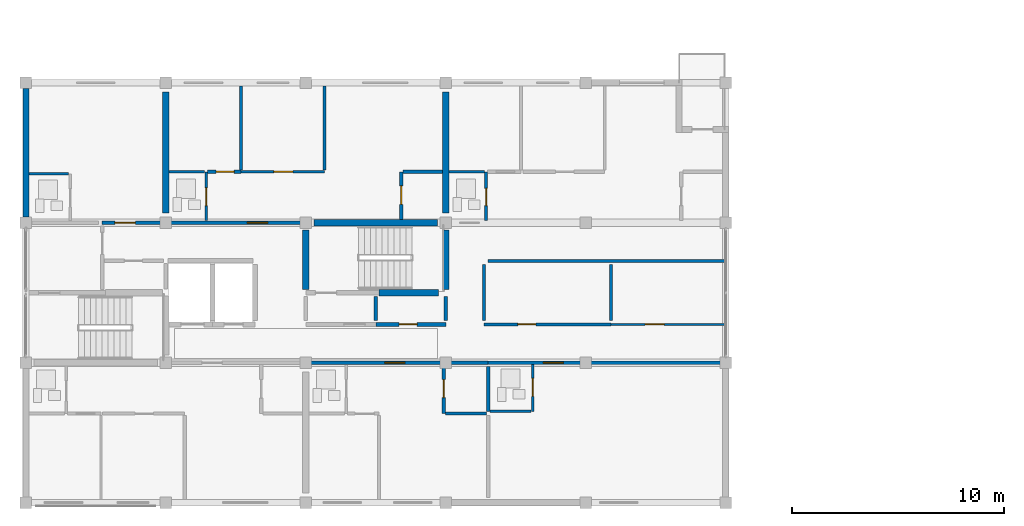
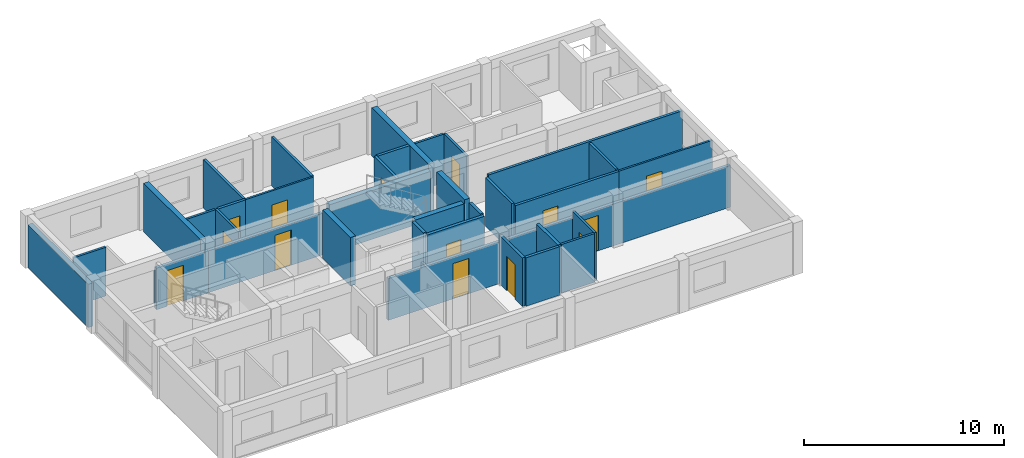
# One storey, part 32 of 46: 35 walls, 14 doors, 14 openings.
"""IFC4 building model written with IfcOpenShell, lengths in metres."""

from ifc_helpers import new_model, si_unit, direction, frame, frame_2d, origin, place, context, subcontext, project, spatial, rectangle, extrude, material, layer, layer_set, type_object, element, fill, save


model = new_model("IFC4")

# Units and contexts
model_context = context("Model", 3, precision=1e-05, world=origin(), true_north=direction((0.0, 1.0)))
body_context = subcontext(model_context, "Body", "Model", "MODEL_VIEW")
ifc_project = project(units=[si_unit("LENGTHUNIT", "METRE"), si_unit("AREAUNIT", "SQUARE_METRE"), si_unit("VOLUMEUNIT", "CUBIC_METRE"), si_unit("PLANEANGLEUNIT", "RADIAN"), si_unit("MASSUNIT", "GRAM", prefix="KILO")], contexts=[model_context])

# Site, building, storey
site_placement = place(None, origin())
site = spatial("IfcSite", under=ifc_project, at=site_placement, CompositionType="ELEMENT")
building_placement = place(site_placement, origin())
building = spatial("IfcBuilding", under=site, at=building_placement, Name="Kernevlak Ridge Housing Community", CompositionType="ELEMENT")
storey_placement = place(building_placement, frame((0.0, 0.0, 27.60009765625)))
storey = spatial("IfcBuildingStorey", under=building, at=storey_placement, Name="L08", CompositionType="ELEMENT", Elevation=27.60009765625)

# Wall
ifc_material_1 = material(Name="Concrete block masonry M10", Category="masonry")
ifc_layer_1 = layer(ifc_material_1, 0.280029296875, Name="Concrete block masonry M10")
ifc_layer_set_1 = layer_set([ifc_layer_1], Name="Concrete block masonry M10")
wall_type_1 = type_object("IfcWallType", Name="EW-03", PredefinedType="STANDARD", material=ifc_layer_set_1)
wall_1_placement = place(storey_placement, frame((15.60009765625, 89.47509765625, 0.0), z_axis=(0.0, 0.0, 1.0), x_axis=(0.0, 1.0, 0.0)))
element("IfcWall", 1, at=wall_1_placement, inside=storey, type_object=wall_type_1, Name="Exterior wall EW-03 L08 138", PredefinedType="STANDARD", context=body_context, shape_type="SweptSolid", body=[
    extrude(rectangle(XDim=6.0498046875, YDim=0.280029296875, at=frame_2d((3.02490234375, 0.0))), origin(), (0.0, 0.0, 1.0), 2.64990234375),
])

# Wall, opening, door
ifc_layer_2 = layer(ifc_material_1, 0.175048828125, Name="Concrete block masonry M10")
ifc_layer_set_2 = layer_set([ifc_layer_2], Name="Concrete block masonry M10")
wall_type_2 = type_object("IfcWallType", Name="PW-02", PredefinedType="PARTITIONING", material=ifc_layer_set_2)
wall_2_placement = place(storey_placement, frame((32.10009765625, 84.39990234375, 0.0), z_axis=(0.0, 0.0, 1.0), x_axis=(1.0, 0.0, 0.0)))
wall_2 = element("IfcWall", 2, at=wall_2_placement, inside=storey, type_object=wall_type_2, Name="Interior wall PW-02 WAL-INT-L08-0516", PredefinedType="PARTITIONING", context=body_context, shape_type="SweptSolid", body=[
    extrude(rectangle(XDim=3.2998046875, YDim=0.175048828125, at=frame_2d((1.64990234375, 0.0))), origin(), (0.0, 0.0, 1.0), 2.969970703125),
])
opening_1_placement = place(wall_2_placement, frame((1.10009765625, 0.0, 0.0)))
opening_1 = element("IfcOpeningElement", 3, at=opening_1_placement, cuts=wall_2, Name="Opening D260", PredefinedType="OPENING", context=body_context, shape_type="SweptSolid", body=[
    extrude(rectangle(XDim=0.85009765625, YDim=2.0, at=frame_2d((0.425048828125, 1.0))), frame((0.0, 0.097412109375, 0.0), z_axis=(0.0, -1.0, 0.0), x_axis=(1.0, 0.0, 0.0)), (0.0, 0.0, 1.0), 0.195068359375),
])
ifc_material_2 = material(Name="Fire-rated sheet steel leaf", Category="steel")
door_type_1 = type_object("IfcDoorType", Name="DT-07", OperationType="NOTDEFINED", PredefinedType="DOOR", material=ifc_material_2)
door_1_placement = place(opening_1_placement, origin())
door_1 = element("IfcDoor", 4, at=door_1_placement, inside=storey, type_object=door_type_1, Name="Block A Cleaner store door D260", OperationType="SINGLE_SWING_RIGHT", OverallHeight=2.0, OverallWidth=0.85009765625, PredefinedType="DOOR", context=body_context, shape_type="SweptSolid", body=[
    extrude(rectangle(XDim=0.85009765625, YDim=2.0, at=frame_2d((0.425048828125, 1.0))), frame((0.0, 0.02490234375, 0.0), z_axis=(0.0, -1.0, 0.0), x_axis=(1.0, 0.0, 0.0)), (0.0, 0.0, 1.0), 0.050048828125),
])
fill(opening_1, door_1)

# Walls
for number, where, z_axis, x_axis, name in (
    (5, (32.10009765625, 84.580078125, 0.0), (0.0, 0.0, 1.0), (0.0, 1.0, 0.0), "Interior wall PW-02 WAL-INT-L08-0518"),
    (6, (35.39990234375, 84.580078125, 0.0), (0.0, 0.0, 1.0), (0.0, 1.0, 0.0), "Interior wall PW-02 WAL-INT-L08-0519"),
):
    element("IfcWall", number, at=place(storey_placement, frame(where, z_axis=z_axis, x_axis=x_axis)), inside=storey, type_object=wall_type_2, Name=name, PredefinedType="PARTITIONING", context=body_context, shape_type="SweptSolid", body=[
        extrude(rectangle(XDim=1.139892578125, YDim=0.175048828125, at=frame_2d((0.56982421875, 0.0))), origin(), (0.0, 0.0, 1.0), 2.969970703125),
    ])

# Wall, opening, door
wall_3_placement = place(storey_placement, frame((28.800048828125, 82.60009765625, 0.0), z_axis=(0.0, 0.0, 1.0), x_axis=(1.0, 0.0, 0.0)))
wall_3 = element("IfcWall", 7, at=wall_3_placement, inside=storey, type_object=wall_type_2, Name="Interior wall PW-02 WAL-INT-L08-0534", PredefinedType="PARTITIONING", context=body_context, shape_type="SweptSolid", body=[
    extrude(rectangle(XDim=8.599853515625, YDim=0.175048828125, at=frame_2d((4.2998046875, 0.0))), origin(), (0.0, 0.0, 1.0), 2.5498046875),
])
opening_2_placement = place(wall_3_placement, frame((3.72509765625, 0.0, 0.0)))
opening_2 = element("IfcOpeningElement", 8, at=opening_2_placement, cuts=wall_3, Name="Opening D268", PredefinedType="OPENING", context=body_context, shape_type="SweptSolid", body=[
    extrude(rectangle(XDim=0.949951171875, YDim=2.159912109375, at=frame_2d((0.47509765625, 1.080078125))), frame((0.0, 0.097412109375, 0.0), z_axis=(0.0, -1.0, 0.0), x_axis=(1.0, 0.0, 0.0)), (0.0, 0.0, 1.0), 0.195068359375),
])
ifc_material_3 = material(Name="Hardwood timber solid-core fire leaf", Category="wood")
door_type_2 = type_object("IfcDoorType", Name="DT-02", OperationType="NOTDEFINED", PredefinedType="DOOR", material=ifc_material_3)
door_2_placement = place(opening_2_placement, origin())
door_2 = element("IfcDoor", 9, at=door_2_placement, inside=storey, type_object=door_type_2, Name="Flat A0812 entrance fire door D268", OperationType="SINGLE_SWING_RIGHT", OverallHeight=2.159912109375, OverallWidth=0.949951171875, PredefinedType="DOOR", context=body_context, shape_type="SweptSolid", body=[
    extrude(rectangle(XDim=0.949951171875, YDim=2.159912109375, at=frame_2d((0.47509765625, 1.080078125))), frame((0.0, 0.02490234375, 0.0), z_axis=(0.0, -1.0, 0.0), x_axis=(1.0, 0.0, 0.0)), (0.0, 0.0, 1.0), 0.050048828125),
])
fill(opening_2, door_2)

# Wall
wall_4_placement = place(storey_placement, frame((37.39990234375, 82.419921875, 0.0), z_axis=(0.0, 0.0, 1.0), x_axis=(0.0, -1.0, 0.0)))
element("IfcWall", 10, at=wall_4_placement, inside=storey, type_object=wall_type_2, Name="Interior wall PW-02 WAL-INT-L08-0541", PredefinedType="PARTITIONING", context=body_context, shape_type="SweptSolid", body=[
    extrude(rectangle(XDim=2.13232421875, YDim=0.175048828125, at=frame_2d((1.066162109375, 0.0))), origin(), (0.0, 0.0, 1.0), 2.969970703125),
])

# Wall, opening, door
wall_5_placement = place(storey_placement, frame((37.39990234375, 82.60009765625, 0.0), z_axis=(0.0, 0.0, 1.0), x_axis=(1.0, 0.0, 0.0)))
wall_5 = element("IfcWall", 11, at=wall_5_placement, inside=storey, type_object=wall_type_2, Name="Interior wall PW-02 WAL-INT-L08-0542", PredefinedType="PARTITIONING", context=body_context, shape_type="SweptSolid", body=[
    extrude(rectangle(XDim=11.2001953125, YDim=0.175048828125, at=frame_2d((5.60009765625, 0.0))), origin(), (0.0, 0.0, 1.0), 2.5498046875),
])
opening_3_placement = place(wall_5_placement, frame((2.60009765625, 0.0, 0.0)))
opening_3 = element("IfcOpeningElement", 12, at=opening_3_placement, cuts=wall_5, Name="Opening D272", PredefinedType="OPENING", context=body_context, shape_type="SweptSolid", body=[
    extrude(rectangle(XDim=0.949951171875, YDim=2.159912109375, at=frame_2d((0.47509765625, 1.080078125))), frame((0.0, 0.097412109375, 0.0), z_axis=(0.0, -1.0, 0.0), x_axis=(1.0, 0.0, 0.0)), (0.0, 0.0, 1.0), 0.195068359375),
])
door_3_placement = place(opening_3_placement, origin())
door_3 = element("IfcDoor", 13, at=door_3_placement, inside=storey, type_object=door_type_2, Name="Flat A0813 entrance fire door D272", OperationType="SINGLE_SWING_RIGHT", OverallHeight=2.159912109375, OverallWidth=0.949951171875, PredefinedType="DOOR", context=body_context, shape_type="SweptSolid", body=[
    extrude(rectangle(XDim=0.949951171875, YDim=2.159912109375, at=frame_2d((0.47509765625, 1.080078125))), frame((0.0, 0.02490234375, 0.0), z_axis=(0.0, -1.0, 0.0), x_axis=(1.0, 0.0, 0.0)), (0.0, 0.0, 1.0), 0.050048828125),
])
fill(opening_3, door_3)

wall_6_placement = place(storey_placement, frame((19.199951171875, 89.199951171875, 0.0), z_axis=(0.0, 0.0, 1.0), x_axis=(1.0, 0.0, 0.0)))
wall_6 = element("IfcWall", 14, at=wall_6_placement, inside=storey, type_object=wall_type_2, Name="Interior wall PW-02 WAL-INT-L08-0546", PredefinedType="PARTITIONING", context=body_context, shape_type="SweptSolid", body=[
    extrude(rectangle(XDim=3.0, YDim=0.175048828125, at=frame_2d((1.5, 0.0))), origin(), (0.0, 0.0, 1.0), 2.5498046875),
])
opening_4_placement = place(wall_6_placement, frame((0.60009765625, 0.0, 0.0)))
opening_4 = element("IfcOpeningElement", 15, at=opening_4_placement, cuts=wall_6, Name="Opening D274", PredefinedType="OPENING", context=body_context, shape_type="SweptSolid", body=[
    extrude(rectangle(XDim=0.9599609375, YDim=2.179931640625, at=frame_2d((0.47998046875, 1.08984375))), frame((0.0, 0.097412109375, 0.0), z_axis=(0.0, -1.0, 0.0), x_axis=(1.0, 0.0, 0.0)), (0.0, 0.0, 1.0), 0.195068359375),
])
door_type_3 = type_object("IfcDoorType", Name="DT-29", OperationType="NOTDEFINED", PredefinedType="DOOR", material=ifc_material_3)
door_4_placement = place(opening_4_placement, origin())
door_4 = element("IfcDoor", 16, at=door_4_placement, inside=storey, type_object=door_type_3, Name="Flat A0821 entrance fire door D274", OperationType="SINGLE_SWING_RIGHT", OverallHeight=2.179931640625, OverallWidth=0.9599609375, PredefinedType="DOOR", context=body_context, shape_type="SweptSolid", body=[
    extrude(rectangle(XDim=0.9599609375, YDim=2.179931640625, at=frame_2d((0.47998046875, 1.08984375))), frame((0.0, 0.02490234375, 0.0), z_axis=(0.0, -1.0, 0.0), x_axis=(1.0, 0.0, 0.0)), (0.0, 0.0, 1.0), 0.050048828125),
])
fill(opening_4, door_4)

wall_7_placement = place(storey_placement, frame((22.199951171875, 89.199951171875, 0.0), z_axis=(0.0, 0.0, 1.0), x_axis=(1.0, 0.0, 0.0)))
wall_7 = element("IfcWall", 17, at=wall_7_placement, inside=storey, type_object=wall_type_2, Name="Interior wall PW-02 WAL-INT-L08-0549", PredefinedType="PARTITIONING", context=body_context, shape_type="SweptSolid", body=[
    extrude(rectangle(XDim=6.60009765625, YDim=0.175048828125, at=frame_2d((3.300048828125, 0.0))), origin(), (0.0, 0.0, 1.0), 2.5498046875),
])
opening_5_placement = place(wall_7_placement, frame((3.85009765625, 0.0, 0.0)))
opening_5 = element("IfcOpeningElement", 18, at=opening_5_placement, cuts=wall_7, Name="Opening D276", PredefinedType="OPENING", context=body_context, shape_type="SweptSolid", body=[
    extrude(rectangle(XDim=0.949951171875, YDim=2.159912109375, at=frame_2d((0.47509765625, 1.080078125))), frame((0.0, 0.097412109375, 0.0), z_axis=(0.0, -1.0, 0.0), x_axis=(1.0, 0.0, 0.0)), (0.0, 0.0, 1.0), 0.195068359375),
])
door_5_placement = place(opening_5_placement, origin())
door_5 = element("IfcDoor", 19, at=door_5_placement, inside=storey, type_object=door_type_2, Name="Flat A0822 entrance fire door D276", OperationType="SINGLE_SWING_RIGHT", OverallHeight=2.159912109375, OverallWidth=0.949951171875, PredefinedType="DOOR", context=body_context, shape_type="SweptSolid", body=[
    extrude(rectangle(XDim=0.949951171875, YDim=2.159912109375, at=frame_2d((0.47509765625, 1.080078125))), frame((0.0, 0.02490234375, 0.0), z_axis=(0.0, -1.0, 0.0), x_axis=(1.0, 0.0, 0.0)), (0.0, 0.0, 1.0), 0.050048828125),
])
fill(opening_5, door_5)

ifc_layer_3 = layer(ifc_material_1, 0.14501953125, Name="Concrete block masonry M10")
ifc_layer_set_3 = layer_set([ifc_layer_3], Name="Concrete block masonry M10")
wall_type_3 = type_object("IfcWallType", Name="PW-03", PredefinedType="PARTITIONING", material=ifc_layer_set_3)
wall_8_placement = place(storey_placement, frame((37.199951171875, 84.39990234375, 0.0), z_axis=(0.0, 0.0, 1.0), x_axis=(1.0, 0.0, 0.0)))
wall_8 = element("IfcWall", 20, at=wall_8_placement, inside=storey, type_object=wall_type_3, Name="Interior wall PW-03 WAL-INT-L08-0520", PredefinedType="PARTITIONING", context=body_context, shape_type="SweptSolid", body=[
    extrude(rectangle(XDim=6.0, YDim=0.14501953125, at=frame_2d((3.0, 0.0))), origin(), (0.0, 0.0, 1.0), 2.969970703125),
])
opening_6_placement = place(wall_8_placement, frame((1.60009765625, 0.0, 0.0)))
opening_6 = element("IfcOpeningElement", 21, at=opening_6_placement, cuts=wall_8, Name="Opening D261", PredefinedType="OPENING", context=body_context, shape_type="SweptSolid", body=[
    extrude(rectangle(XDim=0.85009765625, YDim=2.10009765625, at=frame_2d((0.425048828125, 1.050048828125))), frame((0.0, 0.08251953125, 0.0), z_axis=(0.0, -1.0, 0.0), x_axis=(1.0, 0.0, 0.0)), (0.0, 0.0, 1.0), 0.1650390625),
])
ifc_material_4 = material(Name="Hardwood timber leaf", Category="wood")
door_type_4 = type_object("IfcDoorType", Name="DT-03", OperationType="NOTDEFINED", PredefinedType="DOOR", material=ifc_material_4)
door_6_placement = place(opening_6_placement, origin())
door_6 = element("IfcDoor", 22, at=door_6_placement, inside=storey, type_object=door_type_4, Name="Block A Laundry room door D261", OperationType="SINGLE_SWING_LEFT", OverallHeight=2.10009765625, OverallWidth=0.85009765625, PredefinedType="DOOR", context=body_context, shape_type="SweptSolid", body=[
    extrude(rectangle(XDim=0.85009765625, YDim=2.10009765625, at=frame_2d((0.425048828125, 1.050048828125))), frame((0.0, 0.02490234375, 0.0), z_axis=(0.0, -1.0, 0.0), x_axis=(1.0, 0.0, 0.0)), (0.0, 0.0, 1.0), 0.050048828125),
])
fill(opening_6, door_6)

# Walls
wall_9_placement = place(storey_placement, frame((43.199951171875, 84.580078125, 0.0), z_axis=(0.0, 0.0, 1.0), x_axis=(0.0, 1.0, 0.0)))
element("IfcWall", 23, at=wall_9_placement, inside=storey, type_object=wall_type_3, Name="Interior wall PW-03 WAL-INT-L08-0522", PredefinedType="PARTITIONING", context=body_context, shape_type="SweptSolid", body=[
    extrude(rectangle(XDim=2.639892578125, YDim=0.14501953125, at=frame_2d((1.31982421875, 0.0))), origin(), (0.0, 0.0, 1.0), 2.969970703125),
])
wall_10_placement = place(storey_placement, frame((37.3798828125, 87.39990234375, 0.0), z_axis=(0.0, 0.0, 1.0), x_axis=(1.0, 0.0, 0.0)))
element("IfcWall", 24, at=wall_10_placement, inside=storey, type_object=wall_type_3, Name="Interior wall PW-03 WAL-INT-L08-0523", PredefinedType="PARTITIONING", context=body_context, shape_type="SweptSolid", body=[
    extrude(rectangle(XDim=11.2001953125, YDim=0.14501953125, at=frame_2d((5.60009765625, 0.0))), origin(), (0.0, 0.0, 1.0), 2.969970703125),
])
wall_11_placement = place(storey_placement, frame((37.199951171875, 84.580078125, 0.0), z_axis=(0.0, 0.0, 1.0), x_axis=(0.0, 1.0, 0.0)))
element("IfcWall", 25, at=wall_11_placement, inside=storey, type_object=wall_type_3, Name="Interior wall PW-03 WAL-INT-L08-0524", PredefinedType="PARTITIONING", context=body_context, shape_type="SweptSolid", body=[
    extrude(rectangle(XDim=2.639892578125, YDim=0.14501953125, at=frame_2d((1.31982421875, 0.0))), origin(), (0.0, 0.0, 1.0), 2.969970703125),
])

# Wall, opening, door
wall_12_placement = place(storey_placement, frame((24.172607421875, 91.60009765625, 0.0), z_axis=(0.0, 0.0, 1.0), x_axis=(1.0, 0.0, 0.0)))
wall_12 = element("IfcWall", 26, at=wall_12_placement, inside=storey, type_object=wall_type_3, Name="Interior wall PW-03 WAL-INT-L08-0554", PredefinedType="PARTITIONING", context=body_context, shape_type="SweptSolid", body=[
    extrude(rectangle(XDim=1.577392578125, YDim=0.14501953125, at=frame_2d((0.78857421875, 0.0))), origin(), (0.0, 0.0, 1.0), 2.969970703125),
])
opening_7_placement = place(wall_12_placement, frame((0.39990234375, 0.0, 0.0)))
opening_7 = element("IfcOpeningElement", 27, at=opening_7_placement, cuts=wall_12, Name="Opening D279", PredefinedType="OPENING", context=body_context, shape_type="SweptSolid", body=[
    extrude(rectangle(XDim=0.85009765625, YDim=2.10009765625, at=frame_2d((0.425048828125, 1.050048828125))), frame((0.0, 0.08251953125, 0.0), z_axis=(0.0, -1.0, 0.0), x_axis=(1.0, 0.0, 0.0)), (0.0, 0.0, 1.0), 0.1650390625),
])
door_7_placement = place(opening_7_placement, origin())
door_7 = element("IfcDoor", 28, at=door_7_placement, inside=storey, type_object=door_type_4, Name="Flat A0822 bedroom door D279", OperationType="SINGLE_SWING_LEFT", OverallHeight=2.10009765625, OverallWidth=0.85009765625, PredefinedType="DOOR", context=body_context, shape_type="SweptSolid", body=[
    extrude(rectangle(XDim=0.85009765625, YDim=2.10009765625, at=frame_2d((0.425048828125, 1.050048828125))), frame((0.0, 0.02490234375, 0.0), z_axis=(0.0, -1.0, 0.0), x_axis=(1.0, 0.0, 0.0)), (0.0, 0.0, 1.0), 0.050048828125),
])
fill(opening_7, door_7)

# Walls
wall_13_placement = place(storey_placement, frame((25.75, 91.6826171875, 0.0), z_axis=(0.0, 0.0, 1.0), x_axis=(0.0, 1.0, 0.0)))
element("IfcWall", 29, at=wall_13_placement, inside=storey, type_object=wall_type_3, Name="Interior wall PW-03 WAL-INT-L08-0555", PredefinedType="PARTITIONING", context=body_context, shape_type="SweptSolid", body=[
    extrude(rectangle(XDim=3.96728515625, YDim=0.14501953125, at=frame_2d((1.983642578125, 0.0))), origin(), (0.0, 0.0, 1.0), 2.969970703125),
])
wall_14_placement = place(storey_placement, frame((29.69189453125, 91.679931640625, 0.0), z_axis=(0.0, 0.0, 1.0), x_axis=(0.0, 1.0, 0.0)))
element("IfcWall", 30, at=wall_14_placement, inside=storey, type_object=wall_type_3, Name="Interior wall PW-03 WAL-INT-L08-0557", PredefinedType="PARTITIONING", context=body_context, shape_type="SweptSolid", body=[
    extrude(rectangle(XDim=3.969970703125, YDim=0.14501953125, at=frame_2d((1.98486328125, 0.0))), origin(), (0.0, 0.0, 1.0), 2.969970703125),
])

# Wall, opening, door
ifc_material_5 = material(Name="Gypsum plasterboard EN 520", Category="gypsum")
ifc_layer_4 = layer(ifc_material_5, 0.125, Name="Gypsum plasterboard EN 520")
ifc_layer_set_4 = layer_set([ifc_layer_4], Name="Gypsum plasterboard EN 520")
wall_type_4 = type_object("IfcWallType", Name="PW-04", PredefinedType="PARTITIONING", material=ifc_layer_set_4)
wall_15_placement = place(storey_placement, frame((39.5, 82.50244140625, 0.0), z_axis=(0.0, 0.0, 1.0), x_axis=(0.0, -1.0, 0.0)))
wall_15 = element("IfcWall", 31, at=wall_15_placement, inside=storey, type_object=wall_type_4, Name="Interior wall PW-04 WAL-INT-L08-0543", PredefinedType="PARTITIONING", context=body_context, shape_type="SweptSolid", body=[
    extrude(rectangle(XDim=2.202392578125, YDim=0.125, at=frame_2d((1.10107421875, 0.0))), origin(), (0.0, 0.0, 1.0), 2.969970703125),
])
opening_8_placement = place(wall_15_placement, frame((0.64990234375, 0.0, 0.0)))
opening_8 = element("IfcOpeningElement", 32, at=opening_8_placement, cuts=wall_15, Name="Opening D273", PredefinedType="OPENING", context=body_context, shape_type="SweptSolid", body=[
    extrude(rectangle(XDim=0.840087890625, YDim=2.06005859375, at=frame_2d((0.419921875, 1.030029296875))), frame((0.0, 0.072509765625, 0.0), z_axis=(0.0, -1.0, 0.0), x_axis=(1.0, 0.0, 0.0)), (0.0, 0.0, 1.0), 0.14501953125),
])
ifc_material_6 = material(Name="Hardwood timber moisture-resistant leaf", Category="wood")
door_type_5 = type_object("IfcDoorType", Name="DT-27", OperationType="NOTDEFINED", PredefinedType="DOOR", material=ifc_material_6)
door_8_placement = place(opening_8_placement, origin())
door_8 = element("IfcDoor", 33, at=door_8_placement, inside=storey, type_object=door_type_5, Name="Flat A0813 bathroom door D273", OperationType="SINGLE_SWING_LEFT", OverallHeight=2.06005859375, OverallWidth=0.840087890625, PredefinedType="DOOR", context=body_context, shape_type="SweptSolid", body=[
    extrude(rectangle(XDim=0.840087890625, YDim=2.06005859375, at=frame_2d((0.419921875, 1.030029296875))), frame((0.0, 0.02490234375, 0.0), z_axis=(0.0, -1.0, 0.0), x_axis=(1.0, 0.0, 0.0)), (0.0, 0.0, 1.0), 0.050048828125),
])
fill(opening_8, door_8)

# Walls
wall_16_placement = place(storey_placement, frame((37.49755859375, 80.300048828125, 0.0), z_axis=(0.0, 0.0, 1.0), x_axis=(1.0, 0.0, 0.0)))
element("IfcWall", 34, at=wall_16_placement, inside=storey, type_object=wall_type_4, Name="Interior wall PW-04 WAL-INT-L08-0544", PredefinedType="PARTITIONING", context=body_context, shape_type="SweptSolid", body=[
    extrude(rectangle(XDim=1.92236328125, YDim=0.125, at=frame_2d((0.961181640625, 0.0))), origin(), (0.0, 0.0, 1.0), 2.969970703125),
])
wall_17_placement = place(storey_placement, frame((15.75, 91.5, 0.0), z_axis=(0.0, 0.0, 1.0), x_axis=(1.0, 0.0, 0.0)))
element("IfcWall", 35, at=wall_17_placement, inside=storey, type_object=wall_type_4, Name="Interior wall PW-04 WAL-INT-L08-0548", PredefinedType="PARTITIONING", context=body_context, shape_type="SweptSolid", body=[
    extrude(rectangle(XDim=1.8701171875, YDim=0.125, at=frame_2d((0.93505859375, 0.0))), origin(), (0.0, 0.0, 1.0), 2.969970703125),
])

# Wall, opening, door
wall_18_placement = place(storey_placement, frame((24.10009765625, 89.297607421875, 0.0), z_axis=(0.0, 0.0, 1.0), x_axis=(0.0, 1.0, 0.0)))
wall_18 = element("IfcWall", 36, at=wall_18_placement, inside=storey, type_object=wall_type_4, Name="Interior wall PW-04 WAL-INT-L08-0550", PredefinedType="PARTITIONING", context=body_context, shape_type="SweptSolid", body=[
    extrude(rectangle(XDim=2.302490234375, YDim=0.125, at=frame_2d((1.1513671875, 0.0))), origin(), (0.0, 0.0, 1.0), 2.969970703125),
])
opening_9_placement = place(wall_18_placement, frame((0.699951171875, 0.0, 0.0)))
opening_9 = element("IfcOpeningElement", 37, at=opening_9_placement, cuts=wall_18, Name="Opening D277", PredefinedType="OPENING", context=body_context, shape_type="SweptSolid", body=[
    extrude(rectangle(XDim=0.840087890625, YDim=2.06005859375, at=frame_2d((0.419921875, 1.030029296875))), frame((0.0, 0.072509765625, 0.0), z_axis=(0.0, -1.0, 0.0), x_axis=(1.0, 0.0, 0.0)), (0.0, 0.0, 1.0), 0.14501953125),
])
door_9_placement = place(opening_9_placement, origin())
door_9 = element("IfcDoor", 38, at=door_9_placement, inside=storey, type_object=door_type_5, Name="Flat A0822 bathroom door D277", OperationType="SINGLE_SWING_LEFT", OverallHeight=2.06005859375, OverallWidth=0.840087890625, PredefinedType="DOOR", context=body_context, shape_type="SweptSolid", body=[
    extrude(rectangle(XDim=0.840087890625, YDim=2.06005859375, at=frame_2d((0.419921875, 1.030029296875))), frame((0.0, 0.02490234375, 0.0), z_axis=(0.0, -1.0, 0.0), x_axis=(1.0, 0.0, 0.0)), (0.0, 0.0, 1.0), 0.050048828125),
])
fill(opening_9, door_9)

# Wall
wall_19_placement = place(storey_placement, frame((22.360107421875, 91.60009765625, 0.0), z_axis=(0.0, 0.0, 1.0), x_axis=(1.0, 0.0, 0.0)))
element("IfcWall", 39, at=wall_19_placement, inside=storey, type_object=wall_type_4, Name="Interior wall PW-04 WAL-INT-L08-0551", PredefinedType="PARTITIONING", context=body_context, shape_type="SweptSolid", body=[
    extrude(rectangle(XDim=1.659912109375, YDim=0.125, at=frame_2d((0.830078125, 0.0))), origin(), (0.0, 0.0, 1.0), 2.969970703125),
])

# Wall, opening, door
wall_20_placement = place(storey_placement, frame((37.300048828125, 89.297607421875, 0.0), z_axis=(0.0, 0.0, 1.0), x_axis=(0.0, 1.0, 0.0)))
wall_20 = element("IfcWall", 40, at=wall_20_placement, inside=storey, type_object=wall_type_4, Name="Interior wall PW-04 WAL-INT-L08-0559", PredefinedType="PARTITIONING", context=body_context, shape_type="SweptSolid", body=[
    extrude(rectangle(XDim=2.302490234375, YDim=0.125, at=frame_2d((1.1513671875, 0.0))), origin(), (0.0, 0.0, 1.0), 2.969970703125),
])
opening_10_placement = place(wall_20_placement, frame((0.699951171875, 0.0, 0.0)))
opening_10 = element("IfcOpeningElement", 41, at=opening_10_placement, cuts=wall_20, Name="Opening D282", PredefinedType="OPENING", context=body_context, shape_type="SweptSolid", body=[
    extrude(rectangle(XDim=0.820068359375, YDim=2.050048828125, at=frame_2d((0.41015625, 1.02490234375))), frame((0.0, 0.072509765625, 0.0), z_axis=(0.0, -1.0, 0.0), x_axis=(1.0, 0.0, 0.0)), (0.0, 0.0, 1.0), 0.14501953125),
])
door_type_6 = type_object("IfcDoorType", Name="DT-30", OperationType="NOTDEFINED", PredefinedType="DOOR", material=ifc_material_6)
door_10_placement = place(opening_10_placement, origin())
door_10 = element("IfcDoor", 42, at=door_10_placement, inside=storey, type_object=door_type_6, Name="Flat A0823 bathroom door D282", OperationType="SINGLE_SWING_RIGHT", OverallHeight=2.050048828125, OverallWidth=0.820068359375, PredefinedType="DOOR", context=body_context, shape_type="SweptSolid", body=[
    extrude(rectangle(XDim=0.820068359375, YDim=2.050048828125, at=frame_2d((0.41015625, 1.02490234375))), frame((0.0, 0.02490234375, 0.0), z_axis=(0.0, -1.0, 0.0), x_axis=(1.0, 0.0, 0.0)), (0.0, 0.0, 1.0), 0.050048828125),
])
fill(opening_10, door_10)

# Wall
wall_21_placement = place(storey_placement, frame((35.56005859375, 91.60009765625, 0.0), z_axis=(0.0, 0.0, 1.0), x_axis=(1.0, 0.0, 0.0)))
element("IfcWall", 43, at=wall_21_placement, inside=storey, type_object=wall_type_4, Name="Interior wall PW-04 WAL-INT-L08-0560", PredefinedType="PARTITIONING", context=body_context, shape_type="SweptSolid", body=[
    extrude(rectangle(XDim=1.659912109375, YDim=0.125, at=frame_2d((0.830078125, 0.0))), origin(), (0.0, 0.0, 1.0), 2.969970703125),
])

# Wall, opening, door
ifc_layer_5 = layer(ifc_material_5, 0.155029296875, Name="Gypsum plasterboard EN 520")
ifc_layer_set_5 = layer_set([ifc_layer_5], Name="Gypsum plasterboard EN 520")
wall_type_5 = type_object("IfcWallType", Name="PW-05", PredefinedType="PARTITIONING", material=ifc_layer_set_5)
wall_22_placement = place(storey_placement, frame((35.300048828125, 82.50244140625, 0.0), z_axis=(0.0, 0.0, 1.0), x_axis=(0.0, -1.0, 0.0)))
wall_22 = element("IfcWall", 44, at=wall_22_placement, inside=storey, type_object=wall_type_5, Name="Interior wall PW-05 WAL-INT-L08-0537", PredefinedType="PARTITIONING", context=body_context, shape_type="SweptSolid", body=[
    extrude(rectangle(XDim=2.302490234375, YDim=0.155029296875, at=frame_2d((1.1513671875, 0.0))), origin(), (0.0, 0.0, 1.0), 2.969970703125),
])
opening_11_placement = place(wall_22_placement, frame((0.699951171875, 0.0, 0.0)))
opening_11 = element("IfcOpeningElement", 45, at=opening_11_placement, cuts=wall_22, Name="Opening D270", PredefinedType="OPENING", context=body_context, shape_type="SweptSolid", body=[
    extrude(rectangle(XDim=0.85009765625, YDim=2.10009765625, at=frame_2d((0.425048828125, 1.050048828125))), frame((0.0, 0.08740234375, 0.0), z_axis=(0.0, -1.0, 0.0), x_axis=(1.0, 0.0, 0.0)), (0.0, 0.0, 1.0), 0.175048828125),
])
door_11_placement = place(opening_11_placement, origin())
door_11 = element("IfcDoor", 46, at=door_11_placement, inside=storey, type_object=door_type_4, Name="Flat A0812 kitchen door D270", OperationType="SINGLE_SWING_RIGHT", OverallHeight=2.10009765625, OverallWidth=0.85009765625, PredefinedType="DOOR", context=body_context, shape_type="SweptSolid", body=[
    extrude(rectangle(XDim=0.85009765625, YDim=2.10009765625, at=frame_2d((0.425048828125, 1.050048828125))), frame((0.0, 0.02490234375, 0.0), z_axis=(0.0, -1.0, 0.0), x_axis=(1.0, 0.0, 0.0)), (0.0, 0.0, 1.0), 0.050048828125),
])
fill(opening_11, door_11)

# Wall
wall_23_placement = place(storey_placement, frame((35.387451171875, 80.199951171875, 0.0), z_axis=(0.0, 0.0, 1.0), x_axis=(1.0, 0.0, 0.0)))
element("IfcWall", 47, at=wall_23_placement, inside=storey, type_object=wall_type_5, Name="Interior wall PW-05 WAL-INT-L08-0538", PredefinedType="PARTITIONING", context=body_context, shape_type="SweptSolid", body=[
    extrude(rectangle(XDim=1.9326171875, YDim=0.155029296875, at=frame_2d((0.96630859375, 0.0))), origin(), (0.0, 0.0, 1.0), 2.969970703125),
])

# Wall, opening, door
wall_24_placement = place(storey_placement, frame((33.300048828125, 89.360107421875, 0.0), z_axis=(0.0, 0.0, 1.0), x_axis=(0.0, 1.0, 0.0)))
wall_24 = element("IfcWall", 48, at=wall_24_placement, inside=storey, type_object=wall_type_5, Name="Interior wall PW-05 WAL-INT-L08-0552", PredefinedType="PARTITIONING", context=body_context, shape_type="SweptSolid", body=[
    extrude(rectangle(XDim=2.239990234375, YDim=0.155029296875, at=frame_2d((1.1201171875, 0.0))), origin(), (0.0, 0.0, 1.0), 2.969970703125),
])
opening_12_placement = place(wall_24_placement, frame((0.699951171875, 0.0, 0.0)))
opening_12 = element("IfcOpeningElement", 49, at=opening_12_placement, cuts=wall_24, Name="Opening D278", PredefinedType="OPENING", context=body_context, shape_type="SweptSolid", body=[
    extrude(rectangle(XDim=0.8701171875, YDim=2.080078125, at=frame_2d((0.43505859375, 1.0400390625))), frame((0.0, 0.08740234375, 0.0), z_axis=(0.0, -1.0, 0.0), x_axis=(1.0, 0.0, 0.0)), (0.0, 0.0, 1.0), 0.175048828125),
])
door_type_7 = type_object("IfcDoorType", Name="DT-32", OperationType="NOTDEFINED", PredefinedType="DOOR", material=ifc_material_4)
door_12_placement = place(opening_12_placement, origin())
door_12 = element("IfcDoor", 50, at=door_12_placement, inside=storey, type_object=door_type_7, Name="Flat A0822 kitchen door D278", OperationType="SINGLE_SWING_RIGHT", OverallHeight=2.080078125, OverallWidth=0.8701171875, PredefinedType="DOOR", context=body_context, shape_type="SweptSolid", body=[
    extrude(rectangle(XDim=0.8701171875, YDim=2.080078125, at=frame_2d((0.43505859375, 1.0400390625))), frame((0.0, 0.02490234375, 0.0), z_axis=(0.0, -1.0, 0.0), x_axis=(1.0, 0.0, 0.0)), (0.0, 0.0, 1.0), 0.050048828125),
])
fill(opening_12, door_12)

# Wall
wall_25_placement = place(storey_placement, frame((33.387451171875, 91.60009765625, 0.0), z_axis=(0.0, 0.0, 1.0), x_axis=(1.0, 0.0, 0.0)))
element("IfcWall", 51, at=wall_25_placement, inside=storey, type_object=wall_type_5, Name="Interior wall PW-05 WAL-INT-L08-0553", PredefinedType="PARTITIONING", context=body_context, shape_type="SweptSolid", body=[
    extrude(rectangle(XDim=1.8525390625, YDim=0.155029296875, at=frame_2d((0.92626953125, 0.0))), origin(), (0.0, 0.0, 1.0), 2.969970703125),
])

# Wall, opening, door
ifc_layer_6 = layer(ifc_material_5, 0.10498046875, Name="Gypsum plasterboard EN 520")
ifc_layer_set_6 = layer_set([ifc_layer_6], Name="Gypsum plasterboard EN 520")
wall_type_6 = type_object("IfcWallType", Name="PW-06", PredefinedType="PARTITIONING", material=ifc_layer_set_6)
wall_26_placement = place(storey_placement, frame((43.199951171875, 84.39990234375, 0.0), z_axis=(0.0, 0.0, 1.0), x_axis=(1.0, 0.0, 0.0)))
wall_26 = element("IfcWall", 52, at=wall_26_placement, inside=storey, type_object=wall_type_6, Name="Interior wall PW-06 WAL-INT-L08-0521", PredefinedType="PARTITIONING", context=body_context, shape_type="SweptSolid", body=[
    extrude(rectangle(XDim=5.400146484375, YDim=0.10498046875, at=frame_2d((2.7001953125, 0.0))), origin(), (0.0, 0.0, 1.0), 2.969970703125),
])
opening_13_placement = place(wall_26_placement, frame((1.60009765625, 0.0, 0.0)))
opening_13 = element("IfcOpeningElement", 53, at=opening_13_placement, cuts=wall_26, Name="Opening D262", PredefinedType="OPENING", context=body_context, shape_type="SweptSolid", body=[
    extrude(rectangle(XDim=0.89990234375, YDim=2.10009765625, at=frame_2d((0.449951171875, 1.050048828125))), frame((0.0, 0.0625, 0.0), z_axis=(0.0, -1.0, 0.0), x_axis=(1.0, 0.0, 0.0)), (0.0, 0.0, 1.0), 0.125),
])
door_type_8 = type_object("IfcDoorType", Name="DT-21", OperationType="NOTDEFINED", PredefinedType="DOOR", material=ifc_material_4)
door_13_placement = place(opening_13_placement, origin())
door_13 = element("IfcDoor", 54, at=door_13_placement, inside=storey, type_object=door_type_8, Name="Block A Study room door D262", OperationType="SINGLE_SWING_RIGHT", OverallHeight=2.10009765625, OverallWidth=0.89990234375, PredefinedType="DOOR", context=body_context, shape_type="SweptSolid", body=[
    extrude(rectangle(XDim=0.89990234375, YDim=2.10009765625, at=frame_2d((0.449951171875, 1.050048828125))), frame((0.0, 0.02490234375, 0.0), z_axis=(0.0, -1.0, 0.0), x_axis=(1.0, 0.0, 0.0)), (0.0, 0.0, 1.0), 0.050048828125),
])
fill(opening_13, door_13)

wall_27_placement = place(storey_placement, frame((25.75, 91.60009765625, 0.0), z_axis=(0.0, 0.0, 1.0), x_axis=(1.0, 0.0, 0.0)))
wall_27 = element("IfcWall", 55, at=wall_27_placement, inside=storey, type_object=wall_type_6, Name="Interior wall PW-06 WAL-INT-L08-0556", PredefinedType="PARTITIONING", context=body_context, shape_type="SweptSolid", body=[
    extrude(rectangle(XDim=3.94189453125, YDim=0.10498046875, at=frame_2d((1.970947265625, 0.0))), origin(), (0.0, 0.0, 1.0), 2.969970703125),
])
opening_14_placement = place(wall_27_placement, frame((1.5458984375, 0.0, 0.0)))
opening_14 = element("IfcOpeningElement", 56, at=opening_14_placement, cuts=wall_27, Name="Opening D280", PredefinedType="OPENING", context=body_context, shape_type="SweptSolid", body=[
    extrude(rectangle(XDim=0.89990234375, YDim=2.10009765625, at=frame_2d((0.449951171875, 1.050048828125))), frame((0.0, 0.0625, 0.0), z_axis=(0.0, -1.0, 0.0), x_axis=(1.0, 0.0, 0.0)), (0.0, 0.0, 1.0), 0.125),
])
door_14_placement = place(opening_14_placement, origin())
door_14 = element("IfcDoor", 57, at=door_14_placement, inside=storey, type_object=door_type_8, Name="Flat A0822 bedroom door D280", OperationType="SINGLE_SWING_RIGHT", OverallHeight=2.10009765625, OverallWidth=0.89990234375, PredefinedType="DOOR", context=body_context, shape_type="SweptSolid", body=[
    extrude(rectangle(XDim=0.89990234375, YDim=2.10009765625, at=frame_2d((0.449951171875, 1.050048828125))), frame((0.0, 0.02490234375, 0.0), z_axis=(0.0, -1.0, 0.0), x_axis=(1.0, 0.0, 0.0)), (0.0, 0.0, 1.0), 0.050048828125),
])
fill(opening_14, door_14)

# Walls
ifc_material_7 = material(Name="Concrete C40/50", Category="concrete")
ifc_layer_7 = layer(ifc_material_7, 0.300048828125, Name="Concrete C40/50")
ifc_layer_set_7 = layer_set([ifc_layer_7], Name="Concrete C40/50")
wall_type_7 = type_object("IfcWallType", Name="SW-02", PredefinedType="SHEAR", material=ifc_layer_set_7)
wall_28_placement = place(storey_placement, frame((29.179931640625, 89.199951171875, 0.0), z_axis=(0.0, 0.0, 1.0), x_axis=(1.0, 0.0, 0.0)))
element("IfcWall", 58, at=wall_28_placement, inside=storey, type_object=wall_type_7, Name="Shear wall SW-02 Block A L08 94", PredefinedType="SHEAR", context=body_context, shape_type="SweptSolid", body=[
    extrude(rectangle(XDim=5.840087890625, YDim=0.300048828125, at=frame_2d((2.919921875, 0.0))), origin(), (0.0, 0.0, 1.0), 2.969970703125),
])
for number, where, z_axis, x_axis, name in (
    (59, (32.25, 85.89990234375, 0.0), (0.0, 0.0, 1.0), (1.0, 0.0, 0.0), "Shear wall SW-02 Block A L08 95"),
    (60, (28.800048828125, 86.050048828125, 0.0), (0.0, 0.0, 1.0), (0.0, 1.0, 0.0), "Shear wall SW-02 Block A L08 96"),
    (61, (35.39990234375, 86.050048828125, 0.0), (0.0, 0.0, 1.0), (0.0, 1.0, 0.0), "Shear wall SW-02 Block A L08 97"),
):
    element("IfcWall", number, at=place(storey_placement, frame(where, z_axis=z_axis, x_axis=x_axis)), inside=storey, type_object=wall_type_7, Name=name, PredefinedType="SHEAR", context=body_context, shape_type="SweptSolid", body=[
        extrude(rectangle(XDim=2.800048828125, YDim=0.300048828125, at=frame_2d((1.39990234375, 0.0))), origin(), (0.0, 0.0, 1.0), 2.969970703125),
    ])
for number, where, z_axis, x_axis, name in (
    (62, (22.199951171875, 89.64990234375, 0.0), (0.0, 0.0, 1.0), (0.0, 1.0, 0.0), "Shear wall SW-02 Block A L08 99"),
    (63, (35.39990234375, 89.64990234375, 0.0), (0.0, 0.0, 1.0), (0.0, 1.0, 0.0), "Shear wall SW-02 Block A L08 100"),
):
    element("IfcWall", number, at=place(storey_placement, frame(where, z_axis=z_axis, x_axis=x_axis)), inside=storey, type_object=wall_type_7, Name=name, PredefinedType="SHEAR", context=body_context, shape_type="SweptSolid", body=[
        extrude(rectangle(XDim=5.7001953125, YDim=0.300048828125, at=frame_2d((2.85009765625, 0.0))), origin(), (0.0, 0.0, 1.0), 2.969970703125),
    ])

save(model, "model.ifc")
